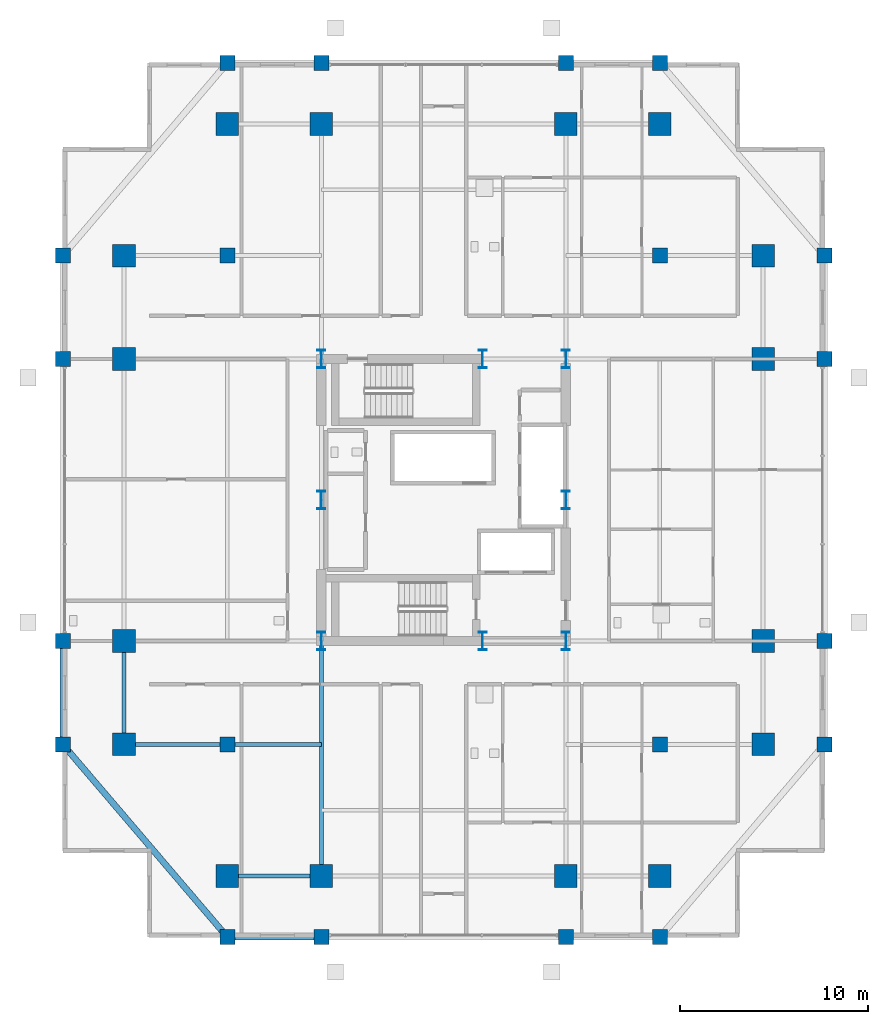
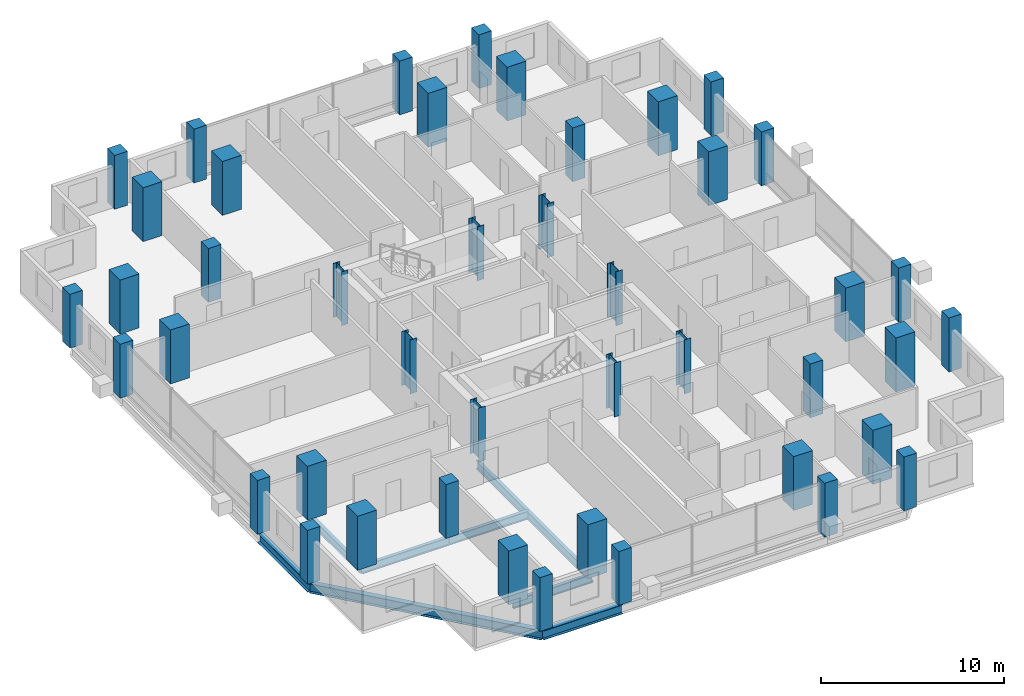
# One storey, part 1 of 19: 44 columns, 8 beams.
"""IFC4 building model written with IfcOpenShell, lengths in metres."""

from ifc_helpers import new_model, si_unit, direction, frame, origin, origin_2d, place, context, subcontext, project, spatial, rectangle, i_section, extrude, material, material_profile, profile_set, type_object, element, save


model = new_model("IFC4")

# Units and contexts
model_context = context("Model", 3, precision=1e-05, world=origin(), true_north=direction((0.0, 1.0)))
body_context = subcontext(model_context, "Body", "Model", "MODEL_VIEW")
ifc_project = project(units=[si_unit("LENGTHUNIT", "METRE"), si_unit("AREAUNIT", "SQUARE_METRE"), si_unit("VOLUMEUNIT", "CUBIC_METRE"), si_unit("PLANEANGLEUNIT", "RADIAN"), si_unit("MASSUNIT", "GRAM", prefix="KILO")], contexts=[model_context])

# Site, building, storey
site_placement = place(None, origin())
site = spatial("IfcSite", under=ifc_project, at=site_placement, CompositionType="ELEMENT")
building_placement = place(site_placement, origin())
building = spatial("IfcBuilding", under=site, at=building_placement, Name="Barlavira Tower and Art Museum", CompositionType="ELEMENT")
storey_placement = place(building_placement, frame((0.0, 0.0, 158.39990234375)))
storey = spatial("IfcBuildingStorey", under=building, at=storey_placement, Name="L40", CompositionType="ELEMENT", Elevation=158.39990234375)

# Columns
ifc_material_1 = material(Name="Steel S355", Category="steel")
ifc_material_profile_1 = material_profile(ifc_material_1, i_section(OverallWidth=0.419921875, OverallDepth=0.9599609375, WebThickness=0.02197265625, FlangeThickness=0.033935546875, at=origin_2d()), Name="W920x387.0")
ifc_profile_set_1 = profile_set([ifc_material_profile_1], Name="Steel S355")
column_type_1 = type_object("IfcColumnType", Name="Core Composite Column W920x387 Steel S355", PredefinedType="COLUMN", material=ifc_profile_set_1)
for number, where, z_axis, x_axis, name in (
    (1, (-6.5, -7.5, 0.0), (0.0, 0.0, 1.0), (1.0, 0.0, 0.0), "L40 Column CC-L40-C1"),
    (2, (2.080078125, -7.5, 0.0), (0.0, 0.0, 1.0), (1.0, 0.0, 0.0), "L40 Column CC-L40-C2"),
    (3, (6.5, -7.5, 0.0), (0.0, 0.0, 1.0), (1.0, 0.0, 0.0), "L40 Column CC-L40-C3"),
    (4, (-6.5, 0.0, 0.0), (0.0, 0.0, 1.0), (1.0, 0.0, 0.0), "L40 Column CC-L40-C4"),
    (5, (6.5, 0.0, 0.0), (0.0, 0.0, 1.0), (1.0, 0.0, 0.0), "L40 Column CC-L40-C5"),
    (6, (-6.5, 7.5, 0.0), (0.0, 0.0, 1.0), (1.0, 0.0, 0.0), "L40 Column CC-L40-C6"),
    (7, (2.080078125, 7.5, 0.0), (0.0, 0.0, 1.0), (1.0, 0.0, 0.0), "L40 Column CC-L40-C7"),
    (8, (6.5, 7.5, 0.0), (0.0, 0.0, 1.0), (1.0, 0.0, 0.0), "L40 Column CC-L40-C8"),
):
    element("IfcColumn", number, at=place(storey_placement, frame(where, z_axis=z_axis, x_axis=x_axis)), inside=storey, type_object=column_type_1, Name=name, PredefinedType="COLUMN", context=body_context, shape_type="SweptSolid", body=[
        extrude(i_section(OverallWidth=0.419921875, OverallDepth=0.9599609375, WebThickness=0.02197265625, FlangeThickness=0.033935546875, at=origin_2d()), origin(), (0.0, 0.0, 1.0), 3.60009765625),
    ])
ifc_material_2 = material(Name="Concrete C60", Category="concrete")
ifc_material_profile_2 = material_profile(ifc_material_2, rectangle(XDim=1.199951171875, YDim=1.199951171875, at=origin_2d()), Name="RC-COL 1200x1200")
ifc_profile_set_2 = profile_set([ifc_material_profile_2], Name="Concrete C60")
column_type_2 = type_object("IfcColumnType", Name="Perimeter Mega Column 1200x1200 Concrete C60", PredefinedType="USERDEFINED", material=ifc_profile_set_2)
for number, where, z_axis, x_axis, name in (
    (9, (-11.5, -20.0, 0.0), (0.0, 0.0, 1.0), (1.0, 0.0, 0.0), "L40 Column MC-L40-M01"),
    (10, (-6.5, -20.0, 0.0), (0.0, 0.0, 1.0), (1.0, 0.0, 0.0), "L40 Column MC-L40-M02"),
    (11, (6.5, -20.0, 0.0), (0.0, 0.0, 1.0), (1.0, 0.0, 0.0), "L40 Column MC-L40-M03"),
    (12, (11.5, -20.0, 0.0), (0.0, 0.0, 1.0), (1.0, 0.0, 0.0), "L40 Column MC-L40-M04"),
    (13, (17.0, -13.0, 0.0), (0.0, 0.0, 1.0), (1.0, 0.0, 0.0), "L40 Column MC-L40-M05"),
    (14, (17.0, -7.5, 0.0), (0.0, 0.0, 1.0), (1.0, 0.0, 0.0), "L40 Column MC-L40-M06"),
    (15, (17.0, 7.5, 0.0), (0.0, 0.0, 1.0), (1.0, 0.0, 0.0), "L40 Column MC-L40-M07"),
    (16, (17.0, 13.0, 0.0), (0.0, 0.0, 1.0), (1.0, 0.0, 0.0), "L40 Column MC-L40-M08"),
    (17, (11.5, 20.0, 0.0), (0.0, 0.0, 1.0), (1.0, 0.0, 0.0), "L40 Column MC-L40-M09"),
    (18, (6.5, 20.0, 0.0), (0.0, 0.0, 1.0), (1.0, 0.0, 0.0), "L40 Column MC-L40-M10"),
    (19, (-6.5, 20.0, 0.0), (0.0, 0.0, 1.0), (1.0, 0.0, 0.0), "L40 Column MC-L40-M11"),
    (20, (-11.5, 20.0, 0.0), (0.0, 0.0, 1.0), (1.0, 0.0, 0.0), "L40 Column MC-L40-M12"),
    (21, (-17.0, 13.0, 0.0), (0.0, 0.0, 1.0), (1.0, 0.0, 0.0), "L40 Column MC-L40-M13"),
    (22, (-17.0, 7.5, 0.0), (0.0, 0.0, 1.0), (1.0, 0.0, 0.0), "L40 Column MC-L40-M14"),
    (23, (-17.0, -7.5, 0.0), (0.0, 0.0, 1.0), (1.0, 0.0, 0.0), "L40 Column MC-L40-M15"),
    (24, (-17.0, -13.0, 0.0), (0.0, 0.0, 1.0), (1.0, 0.0, 0.0), "L40 Column MC-L40-M16"),
):
    element("IfcColumn", number, at=place(storey_placement, frame(where, z_axis=z_axis, x_axis=x_axis)), inside=storey, type_object=column_type_2, Name=name, ObjectType="MEGA COLUMN", PredefinedType="USERDEFINED", context=body_context, shape_type="SweptSolid", body=[
        extrude(rectangle(XDim=1.199951171875, YDim=1.199951171875, at=origin_2d()), origin(), (0.0, 0.0, 1.0), 3.60009765625),
    ])
ifc_material_3 = material(Name="Concrete C50", Category="concrete")
ifc_material_profile_3 = material_profile(ifc_material_3, rectangle(XDim=0.800048828125, YDim=0.800048828125, at=origin_2d()), Name="RC-COL 800x800")
ifc_profile_set_3 = profile_set([ifc_material_profile_3], Name="Concrete C50")
column_type_3 = type_object("IfcColumnType", Name="Podium Frame Column 800x800 Concrete C50", PredefinedType="COLUMN", material=ifc_profile_set_3)
for number, where, z_axis, x_axis, name in (
    (25, (-11.5, -13.0, 0.0), (0.0, 0.0, 1.0), (1.0, 0.0, 0.0), "L40 Column CI-L40-I1"),
    (26, (11.5, -13.0, 0.0), (0.0, 0.0, 1.0), (1.0, 0.0, 0.0), "L40 Column CI-L40-I2"),
    (27, (-11.5, 13.0, 0.0), (0.0, 0.0, 1.0), (1.0, 0.0, 0.0), "L40 Column CI-L40-I3"),
    (28, (11.5, 13.0, 0.0), (0.0, 0.0, 1.0), (1.0, 0.0, 0.0), "L40 Column CI-L40-I4"),
    (29, (-11.5, -23.25, 0.0), (0.0, 0.0, 1.0), (1.0, 0.0, 0.0), "L40 Column CZ2-L40-N01"),
    (30, (-6.5, -23.25, 0.0), (0.0, 0.0, 1.0), (1.0, 0.0, 0.0), "L40 Column CZ2-L40-N02"),
    (31, (6.5, -23.25, 0.0), (0.0, 0.0, 1.0), (1.0, 0.0, 0.0), "L40 Column CZ2-L40-N02B"),
    (32, (11.5, -23.25, 0.0), (0.0, 0.0, 1.0), (1.0, 0.0, 0.0), "L40 Column CZ2-L40-N03"),
    (33, (-20.25, -13.0, 0.0), (0.0, 0.0, 1.0), (1.0, 0.0, 0.0), "L40 Column CZ2-L40-N04"),
    (34, (-20.25, -7.5, 0.0), (0.0, 0.0, 1.0), (1.0, 0.0, 0.0), "L40 Column CZ2-L40-N05"),
    (35, (-20.25, 7.5, 0.0), (0.0, 0.0, 1.0), (1.0, 0.0, 0.0), "L40 Column CZ2-L40-N05B"),
    (36, (-20.25, 13.0, 0.0), (0.0, 0.0, 1.0), (1.0, 0.0, 0.0), "L40 Column CZ2-L40-N06"),
    (37, (-11.5, 23.25, 0.0), (0.0, 0.0, 1.0), (1.0, 0.0, 0.0), "L40 Column CZ2-L40-N07"),
    (38, (-6.5, 23.25, 0.0), (0.0, 0.0, 1.0), (1.0, 0.0, 0.0), "L40 Column CZ2-L40-N08"),
    (39, (6.5, 23.25, 0.0), (0.0, 0.0, 1.0), (1.0, 0.0, 0.0), "L40 Column CZ2-L40-N08B"),
    (40, (11.5, 23.25, 0.0), (0.0, 0.0, 1.0), (1.0, 0.0, 0.0), "L40 Column CZ2-L40-N09"),
    (41, (20.25, -13.0, 0.0), (0.0, 0.0, 1.0), (1.0, 0.0, 0.0), "L40 Column CZ2-L40-N10"),
    (42, (20.25, -7.5, 0.0), (0.0, 0.0, 1.0), (1.0, 0.0, 0.0), "L40 Column CZ2-L40-N11"),
    (43, (20.25, 7.5, 0.0), (0.0, 0.0, 1.0), (1.0, 0.0, 0.0), "L40 Column CZ2-L40-N11B"),
    (44, (20.25, 13.0, 0.0), (0.0, 0.0, 1.0), (1.0, 0.0, 0.0), "L40 Column CZ2-L40-N12"),
):
    element("IfcColumn", number, at=place(storey_placement, frame(where, z_axis=z_axis, x_axis=x_axis)), inside=storey, type_object=column_type_3, Name=name, PredefinedType="COLUMN", context=body_context, shape_type="SweptSolid", body=[
        extrude(rectangle(XDim=0.800048828125, YDim=0.800048828125, at=origin_2d()), origin(), (0.0, 0.0, 1.0), 3.60009765625),
    ])

# Beams
ifc_material_profile_4 = material_profile(ifc_material_1, i_section(OverallWidth=0.327880859375, OverallDepth=0.62890625, WebThickness=0.013916015625, FlangeThickness=0.021484375, at=origin_2d()), Name="W610x174.0")
ifc_profile_set_4 = profile_set([ifc_material_profile_4], Name="Steel S355")
beam_type_1 = type_object("IfcBeamType", Name="Perimeter Spandrel Edge Beam W610x174 Steel S355", PredefinedType="SPANDREL", material=ifc_profile_set_4)
beam_1_placement = place(storey_placement, frame((-11.5, -23.25, -0.534423828125), z_axis=(1.0, 0.0, 0.0), x_axis=(0.0, 1.0, 0.0)))
element("IfcBeam", 45, at=beam_1_placement, inside=storey, type_object=beam_type_1, Name="L40 Spandrel 1", PredefinedType="SPANDREL", context=body_context, shape_type="SweptSolid", body=[
    extrude(i_section(OverallWidth=0.327880859375, OverallDepth=0.62890625, WebThickness=0.013916015625, FlangeThickness=0.021484375, at=origin_2d()), origin(), (0.0, 0.0, 1.0), 5.0),
])
beam_2_placement = place(storey_placement, frame((-20.25, -13.0, -0.534423828125), z_axis=(0.0, 1.0, 0.0), x_axis=(-1.0, 0.0, 0.0)))
element("IfcBeam", 46, at=beam_2_placement, inside=storey, type_object=beam_type_1, Name="L40 Spandrel 15", PredefinedType="SPANDREL", context=body_context, shape_type="SweptSolid", body=[
    extrude(i_section(OverallWidth=0.327880859375, OverallDepth=0.62890625, WebThickness=0.013916015625, FlangeThickness=0.021484375, at=origin_2d()), origin(), (0.0, 0.0, 1.0), 5.5),
])
beam_3_placement = place(storey_placement, frame((-20.25, -13.0, -0.534423828125), z_axis=(0.649262379928, -0.760564502202, 0.0), x_axis=(0.760564502202, 0.649262379928, 0.0)))
element("IfcBeam", 47, at=beam_3_placement, inside=storey, type_object=beam_type_1, Name="L40 Spandrel 16", PredefinedType="SPANDREL", context=body_context, shape_type="SweptSolid", body=[
    extrude(i_section(OverallWidth=0.327880859375, OverallDepth=0.62890625, WebThickness=0.013916015625, FlangeThickness=0.021484375, at=origin_2d()), origin(), (0.0, 0.0, 1.0), 13.476806640625),
])
ifc_material_profile_5 = material_profile(ifc_material_1, i_section(OverallWidth=0.214111328125, OverallDepth=0.549072265625, WebThickness=0.0146484375, FlangeThickness=0.023681640625, at=origin_2d()), Name="W530x138.0")
ifc_profile_set_5 = profile_set([ifc_material_profile_5], Name="Steel S355")
beam_type_2 = type_object("IfcBeamType", Name="Zone 1 Primary Floor Girder W530x138 Steel S355", PredefinedType="BEAM", material=ifc_profile_set_5)
beam_4_placement = place(storey_placement, frame((-11.5, -20.0, -0.494384765625), z_axis=(1.0, 0.0, 0.0), x_axis=(0.0, 1.0, 0.0)))
element("IfcBeam", 48, at=beam_4_placement, inside=storey, type_object=beam_type_2, Name="L40 Girder M-S1", PredefinedType="BEAM", context=body_context, shape_type="SweptSolid", body=[
    extrude(i_section(OverallWidth=0.214111328125, OverallDepth=0.549072265625, WebThickness=0.0146484375, FlangeThickness=0.023681640625, at=origin_2d()), origin(), (0.0, 0.0, 1.0), 5.0),
])
beam_5_placement = place(storey_placement, frame((-17.0, -13.0, -0.494384765625), z_axis=(0.0, 1.0, 0.0), x_axis=(-1.0, 0.0, 0.0)))
element("IfcBeam", 49, at=beam_5_placement, inside=storey, type_object=beam_type_2, Name="L40 Girder M-W1", PredefinedType="BEAM", context=body_context, shape_type="SweptSolid", body=[
    extrude(i_section(OverallWidth=0.214111328125, OverallDepth=0.549072265625, WebThickness=0.0146484375, FlangeThickness=0.023681640625, at=origin_2d()), origin(), (0.0, 0.0, 1.0), 5.5),
])
beam_6_placement = place(storey_placement, frame((-6.5, -20.0, -0.494384765625), z_axis=(0.0, 1.0, 0.0), x_axis=(-1.0, 0.0, 0.0)))
element("IfcBeam", 50, at=beam_6_placement, inside=storey, type_object=beam_type_2, Name="L40 Girder R-S1", PredefinedType="BEAM", context=body_context, shape_type="SweptSolid", body=[
    extrude(i_section(OverallWidth=0.214111328125, OverallDepth=0.549072265625, WebThickness=0.0146484375, FlangeThickness=0.023681640625, at=origin_2d()), origin(), (0.0, 0.0, 1.0), 12.5),
])
beam_7_placement = place(storey_placement, frame((-17.0, -13.0, -0.494384765625), z_axis=(1.0, 0.0, 0.0), x_axis=(0.0, 1.0, 0.0)))
element("IfcBeam", 51, at=beam_7_placement, inside=storey, type_object=beam_type_2, Name="L40 Girder I-S1", PredefinedType="BEAM", context=body_context, shape_type="SweptSolid", body=[
    extrude(i_section(OverallWidth=0.214111328125, OverallDepth=0.549072265625, WebThickness=0.0146484375, FlangeThickness=0.023681640625, at=origin_2d()), origin(), (0.0, 0.0, 1.0), 5.5),
])
beam_8_placement = place(storey_placement, frame((-11.5, -13.0, -0.494384765625), z_axis=(1.0, 0.0, 0.0), x_axis=(0.0, 1.0, 0.0)))
element("IfcBeam", 52, at=beam_8_placement, inside=storey, type_object=beam_type_2, Name="L40 Girder I-S2", PredefinedType="BEAM", context=body_context, shape_type="SweptSolid", body=[
    extrude(i_section(OverallWidth=0.214111328125, OverallDepth=0.549072265625, WebThickness=0.0146484375, FlangeThickness=0.023681640625, at=origin_2d()), origin(), (0.0, 0.0, 1.0), 5.0),
])

save(model, "model.ifc")
